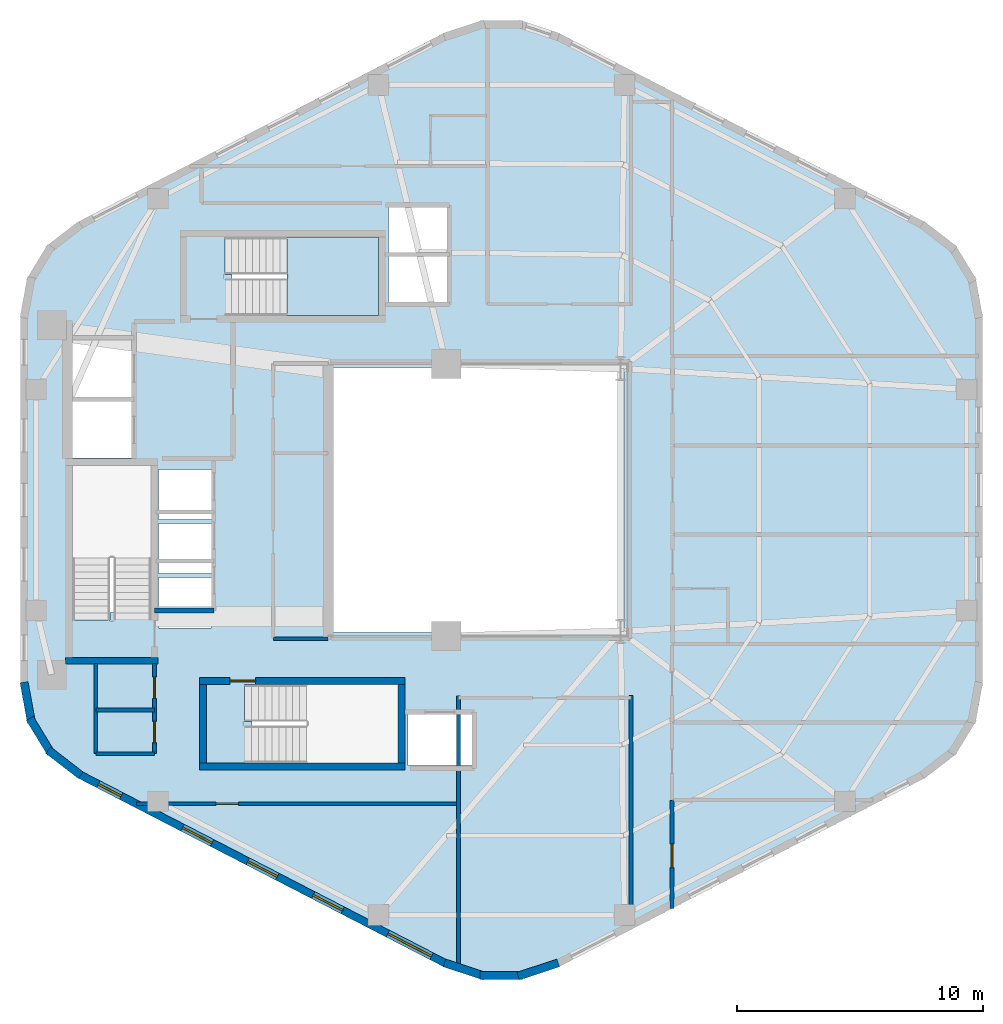
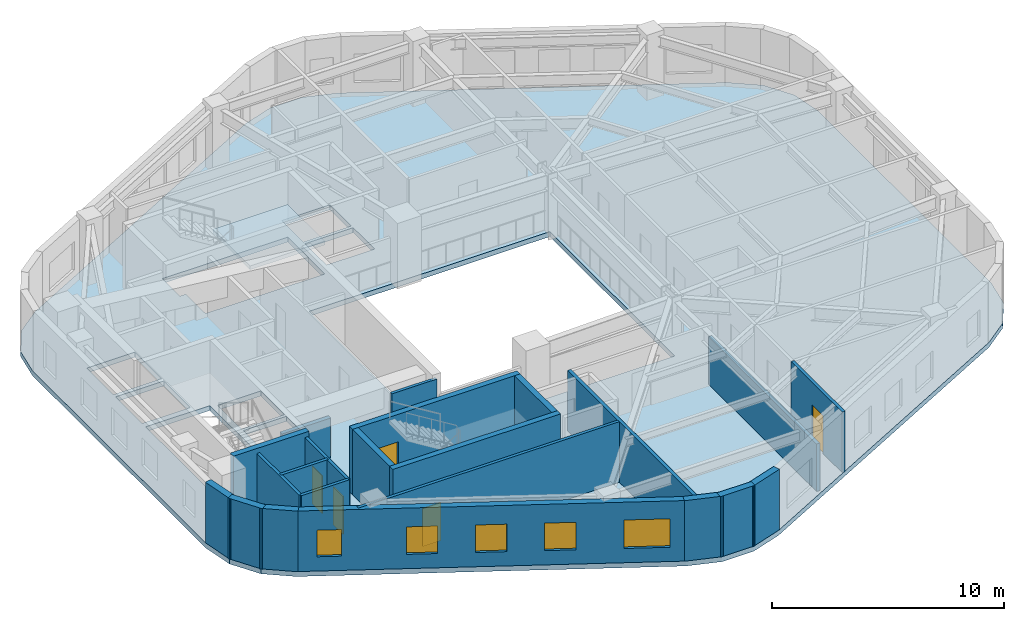
# One storey, part 2 of 7: 22 walls, 5 doors, 5 windows, 2 slabs, 10 openings, 1 element without a shape of its own.
"""IFC4 building model written with IfcOpenShell, lengths in metres."""

from ifc_helpers import new_model, si_unit, direction, frame, frame_2d, origin, place, context, subcontext, project, spatial, polyline, rectangle, outline, extrude, material, layer, layer_set, type_object, element, fill, aggregate, save


model = new_model("IFC4")

# Units and contexts
model_context = context("Model", 3, precision=1e-05, world=origin(), true_north=direction((0.0, 1.0)))
body_context = subcontext(model_context, "Body", "Model", "MODEL_VIEW")
ifc_project = project(units=[si_unit("LENGTHUNIT", "METRE"), si_unit("AREAUNIT", "SQUARE_METRE"), si_unit("VOLUMEUNIT", "CUBIC_METRE"), si_unit("PLANEANGLEUNIT", "RADIAN"), si_unit("MASSUNIT", "GRAM", prefix="KILO"), si_unit("THERMODYNAMICTEMPERATUREUNIT", "KELVIN"), si_unit("POWERUNIT", "WATT")], contexts=[model_context])

# Site, building, storey
site_placement = place(None, origin())
site = spatial("IfcSite", under=ifc_project, at=site_placement, CompositionType="ELEMENT")
building_placement = place(site_placement, origin())
building = spatial("IfcBuilding", under=site, at=building_placement, Name="Skarre Station Tower", CompositionType="ELEMENT")
storey_placement = place(building_placement, frame((0.0, 0.0, 196.449951171875)))
storey = spatial("IfcBuildingStorey", under=building, at=storey_placement, Name="L53", CompositionType="ELEMENT", Elevation=196.449951171875)

# Stair, slab
ifc_material_1 = material(Name="Concrete C40/50", Category="concrete")
stair_type = type_object("IfcStairType", Name="Reinforced Concrete Exit Stair ST-3", PredefinedType="HALF_TURN_STAIR", material=ifc_material_1)
stair_placement = place(storey_placement, origin())
stair = element("IfcStair", 1, at=stair_placement, inside=storey, type_object=stair_type, Name="L53 Core Exit Stair ST-3", PredefinedType="HALF_TURN_STAIR")
ifc_layer_1 = layer(ifc_material_1, 0.219970703125, Name="Concrete C40/50")
ifc_layer_set_1 = layer_set([ifc_layer_1], Name="Concrete C40/50")
slab_type_1 = type_object("IfcSlabType", Name="Reinforced Concrete Stair & Ramp Landing 220", PredefinedType="LANDING", material=ifc_layer_set_1)
slab_1_placement = place(storey_placement, frame((0.0, 0.0, 1.525146484375)))
slab_1 = element("IfcSlab", 2, at=slab_1_placement, type_object=slab_type_1, Name="ST-3 landing 1", PredefinedType="LANDING", context=body_context, shape_type="SweptSolid", body=[
    extrude(outline(polyline([(25.8701171875, 31.5), (29.60009765625, 31.5), (29.60009765625, 34.699951171875), (25.8701171875, 34.699951171875), (25.8701171875, 31.5)])), origin(), (0.0, 0.0, 1.0), 0.199951171875),
])
aggregate(stair, [slab_1])

# Slab
ifc_material_2 = material(Name="Concrete C50/60", Category="concrete")
ifc_layer_2 = layer(ifc_material_2, 0.260009765625, Name="Concrete C50/60")
ifc_layer_set_2 = layer_set([ifc_layer_2], Name="Concrete C50/60")
slab_type_2 = type_object("IfcSlabType", Name="Tower Typical Composite Floor Slab 260", PredefinedType="FLOOR", material=ifc_layer_set_2)
slab_2_placement = place(storey_placement, frame((0.0, 0.0, -0.260009765625)))
element("IfcSlab", 3, at=slab_2_placement, inside=storey, type_object=slab_type_2, Name="L53 Zone 3 Structural Floor Slab", PredefinedType="FLOOR", context=body_context, shape_type="SweptSolid", body=[
    extrude(outline(polyline([(54.172119140625, 31.501953125), (53.89208984375, 33.02294921875), (53.0869140625, 34.344970703125), (51.863037109375, 35.291015625), (36.908935546875, 43.009033203125), (35.39599609375, 43.506103515625), (33.803955078125, 43.506103515625), (32.291015625, 43.009033203125), (17.3369140625, 35.291015625), (16.113037109375, 34.344970703125), (15.30810546875, 33.02294921875), (15.028076171875, 31.501953125), (15.028076171875, 16.498046875), (15.30810546875, 14.97705078125), (16.113037109375, 13.655029296875), (17.3369140625, 12.708984375), (32.291015625, 4.990966796875), (33.803955078125, 4.493896484375), (35.39599609375, 4.493896484375), (36.908935546875, 4.990966796875), (51.863037109375, 12.708984375), (53.0869140625, 13.655029296875), (53.89208984375, 14.97705078125), (54.172119140625, 16.498046875), (54.172119140625, 31.501953125)]), holes=[polyline([(18.669921875, 19.419921875), (18.669921875, 19.123046875), (17.14990234375, 19.123046875), (17.14990234375, 25.39990234375), (20.35009765625, 25.39990234375), (20.35009765625, 19.419921875), (18.669921875, 19.419921875)]), polyline([(24.449951171875, 14.97998046875), (24.153076171875, 14.97998046875), (24.153076171875, 16.5), (30.39990234375, 16.5), (30.39990234375, 13.300048828125), (24.449951171875, 13.300048828125), (24.449951171875, 14.97998046875)]), polyline([(23.64990234375, 33.179931640625), (23.35302734375, 33.179931640625), (23.35302734375, 34.699951171875), (29.60009765625, 34.699951171875), (29.60009765625, 31.5), (23.64990234375, 31.5), (23.64990234375, 33.179931640625)]), polyline([(17.14990234375, 28.0), (19.550048828125, 28.0), (19.550048828125, 25.699951171875), (17.14990234375, 25.699951171875), (17.14990234375, 28.0)]), polyline([(17.14990234375, 30.5), (19.550048828125, 30.5), (19.550048828125, 28.199951171875), (17.14990234375, 28.199951171875), (17.14990234375, 30.5)]), polyline([(30.800048828125, 15.300048828125), (33.39990234375, 15.300048828125), (33.39990234375, 13.199951171875), (30.800048828125, 13.199951171875), (30.800048828125, 15.300048828125)]), polyline([(20.64990234375, 20.85009765625), (22.800048828125, 20.85009765625), (22.800048828125, 18.800048828125), (20.64990234375, 18.800048828125), (20.64990234375, 20.85009765625)]), polyline([(20.64990234375, 23.050048828125), (22.800048828125, 23.050048828125), (22.800048828125, 21.0), (20.64990234375, 21.0), (20.64990234375, 23.050048828125)]), polyline([(20.64990234375, 25.25), (22.800048828125, 25.25), (22.800048828125, 23.199951171875), (20.64990234375, 23.199951171875), (20.64990234375, 25.25)]), polyline([(30.0, 33.89990234375), (32.39990234375, 33.89990234375), (32.39990234375, 32.050048828125), (30.0, 32.050048828125), (30.0, 33.89990234375)]), polyline([(30.0, 35.89990234375), (32.39990234375, 35.89990234375), (32.39990234375, 34.050048828125), (30.0, 34.050048828125), (30.0, 35.89990234375)]), polyline([(27.60009765625, 29.39990234375), (39.60009765625, 29.39990234375), (39.60009765625, 18.60009765625), (27.60009765625, 18.60009765625), (27.60009765625, 29.39990234375)])]), origin(), (0.0, 0.0, 1.0), 0.260009765625),
])

# Walls
ifc_material_3 = material(Name="Acoustic Steel-Stud Gypsum Partition", Category="steel")
ifc_layer_3 = layer(ifc_material_3, 0.14990234375, Name="Acoustic Steel-Stud Gypsum Partition")
ifc_layer_set_3 = layer_set([ifc_layer_3], Name="Acoustic Steel-Stud Gypsum Partition")
wall_type_1 = type_object("IfcWallType", Name="Fire-Rated Corridor Acoustic Partition 150", PredefinedType="PARTITIONING", material=ifc_layer_set_3)
wall_1_placement = place(storey_placement, frame((25.320068359375, 18.360107421875, 0.0), z_axis=(0.0, 0.0, 1.0), x_axis=(1.0, 0.0, 0.0)))
element("IfcWall", 4, at=wall_1_placement, inside=storey, type_object=wall_type_1, Name="L53 Interior Partition WL-PT-L53-RC2-S", PredefinedType="PARTITIONING", context=body_context, shape_type="SweptSolid", body=[
    extrude(rectangle(XDim=2.22998046875, YDim=0.14990234375, at=frame_2d((1.114990234375, 0.0))), origin(), (0.0, 0.0, 1.0), 3.18994140625),
])
wall_2_placement = place(storey_placement, frame((18.10009765625, 17.340087890625, 0.0), z_axis=(0.0, 0.0, 1.0), x_axis=(0.0, -1.0, 0.0)))
element("IfcWall", 5, at=wall_2_placement, inside=storey, type_object=wall_type_1, Name="L53 Interior Partition WL-PT-L53-CSVC-W", PredefinedType="PARTITIONING", context=body_context, shape_type="SweptSolid", body=[
    extrude(rectangle(XDim=3.66015625, YDim=0.14990234375, at=frame_2d((1.830078125, 0.0))), origin(), (0.0, 0.0, 1.0), 3.18994140625),
])
for number, where, z_axis, x_axis, name in (
    (6, (18.10009765625, 13.679931640625, 0.0), (0.0, 0.0, 1.0), (1.0, 0.0, 0.0), "L53 Interior Partition WL-PT-L53-CSVC-S"),
    (7, (18.10009765625, 15.4599609375, 0.0), (0.0, 0.0, 1.0), (1.0, 0.0, 0.0), "L53 Interior Partition WL-PT-L53-CSVC-M"),
):
    element("IfcWall", number, at=place(storey_placement, frame(where, z_axis=z_axis, x_axis=x_axis)), inside=storey, type_object=wall_type_1, Name=name, PredefinedType="PARTITIONING", context=body_context, shape_type="SweptSolid", body=[
        extrude(rectangle(XDim=2.389892578125, YDim=0.14990234375, at=frame_2d((1.19482421875, 0.0))), origin(), (0.0, 0.0, 1.0), 3.18994140625),
    ])

# Wall, openings, doors
wall_3_placement = place(storey_placement, frame((20.489990234375, 13.679931640625, 0.0), z_axis=(0.0, 0.0, 1.0), x_axis=(0.0, 1.0, 0.0)))
wall_3 = element("IfcWall", 8, at=wall_3_placement, inside=storey, type_object=wall_type_1, Name="L53 Interior Partition WL-PT-L53-CSVC-E", PredefinedType="PARTITIONING", context=body_context, shape_type="SweptSolid", body=[
    extrude(rectangle(XDim=3.66015625, YDim=0.14990234375, at=frame_2d((1.830078125, 0.0))), origin(), (0.0, 0.0, 1.0), 3.18994140625),
])
opening_1_placement = place(wall_3_placement, frame((0.449951171875, 0.0, 0.0)))
opening_1 = element("IfcOpeningElement", 9, at=opening_1_placement, cuts=wall_3, Name="Opening DR-SVC86", PredefinedType="OPENING", context=body_context, shape_type="SweptSolid", body=[
    extrude(rectangle(XDim=0.860107421875, YDim=2.0, at=frame_2d((0.43017578125, 1.0))), frame((0.0, 0.0849609375, 0.0), z_axis=(0.0, -1.0, 0.0), x_axis=(1.0, 0.0, 0.0)), (0.0, 0.0, 1.0), 0.169921875),
])
opening_2_placement = place(wall_3_placement, frame((2.25, 0.0, 0.0)))
opening_2 = element("IfcOpeningElement", 10, at=opening_2_placement, cuts=wall_3, Name="Opening DR-SVC86", PredefinedType="OPENING", context=body_context, shape_type="SweptSolid", body=[
    extrude(rectangle(XDim=0.860107421875, YDim=2.0, at=frame_2d((0.43017578125, 1.0))), frame((0.0, 0.0849609375, 0.0), z_axis=(0.0, -1.0, 0.0), x_axis=(1.0, 0.0, 0.0)), (0.0, 0.0, 1.0), 0.169921875),
])
ifc_material_4 = material(Name="Powder-Coated Hollow-Metal Acoustic Fire Leaf", Category="steel")
door_type_1 = type_object("IfcDoorType", Name="Compact Riser Fire Door FD60 860x2100", OperationType="SINGLE_SWING_LEFT", PredefinedType="DOOR", material=ifc_material_4)
door_1_placement = place(opening_1_placement, origin())
door_1 = element("IfcDoor", 11, at=door_1_placement, inside=storey, type_object=door_type_1, Name="L53 Vending Room Door", OperationType="SINGLE_SWING_LEFT", OverallHeight=2.0, OverallWidth=0.860107421875, PredefinedType="DOOR", context=body_context, shape_type="SweptSolid", body=[
    extrude(rectangle(XDim=0.860107421875, YDim=2.0, at=frame_2d((0.43017578125, 1.0))), frame((0.0, 0.02490234375, 0.0), z_axis=(0.0, -1.0, 0.0), x_axis=(1.0, 0.0, 0.0)), (0.0, 0.0, 1.0), 0.050048828125),
])
fill(opening_1, door_1)
door_2_placement = place(opening_2_placement, origin())
door_2 = element("IfcDoor", 12, at=door_2_placement, inside=storey, type_object=door_type_1, Name="L53 Linen Storage Door", OperationType="SINGLE_SWING_LEFT", OverallHeight=2.0, OverallWidth=0.860107421875, PredefinedType="DOOR", context=body_context, shape_type="SweptSolid", body=[
    extrude(rectangle(XDim=0.860107421875, YDim=2.0, at=frame_2d((0.43017578125, 1.0))), frame((0.0, 0.02490234375, 0.0), z_axis=(0.0, -1.0, 0.0), x_axis=(1.0, 0.0, 0.0)), (0.0, 0.0, 1.0), 0.050048828125),
])
fill(opening_2, door_2)

# Wall, opening, door
wall_4_placement = place(storey_placement, frame((19.757080078125, 11.639892578125, 0.0), z_axis=(0.0, 0.0, 1.0), x_axis=(1.0, 0.0, 0.0)))
wall_4 = element("IfcWall", 13, at=wall_4_placement, inside=storey, type_object=wall_type_1, Name="L53 Interior Partition WL-PT-L53-SWP-N", PredefinedType="PARTITIONING", context=body_context, shape_type="SweptSolid", body=[
    extrude(rectangle(XDim=13.093017578125, YDim=0.14990234375, at=frame_2d((6.54638671875, 0.0))), origin(), (0.0, 0.0, 1.0), 3.18994140625),
])
opening_3_placement = place(wall_4_placement, frame((3.242919921875, 0.0, 0.0)))
opening_3 = element("IfcOpeningElement", 14, at=opening_3_placement, cuts=wall_4, Name="Opening DR-SVC90", PredefinedType="OPENING", context=body_context, shape_type="SweptSolid", body=[
    extrude(rectangle(XDim=0.89990234375, YDim=2.0, at=frame_2d((0.449951171875, 1.0))), frame((0.0, 0.0849609375, 0.0), z_axis=(0.0, -1.0, 0.0), x_axis=(1.0, 0.0, 0.0)), (0.0, 0.0, 1.0), 0.169921875),
])
door_type_2 = type_object("IfcDoorType", Name="Service & Riser Fire Door FD60 900x2100", OperationType="SINGLE_SWING_LEFT", PredefinedType="DOOR", material=ifc_material_4)
door_3_placement = place(opening_3_placement, origin())
door_3 = element("IfcDoor", 15, at=door_3_placement, inside=storey, type_object=door_type_2, Name="L53 Floor Public Toilets Door", OperationType="SINGLE_SWING_LEFT", OverallHeight=2.0, OverallWidth=0.89990234375, PredefinedType="DOOR", context=body_context, shape_type="SweptSolid", body=[
    extrude(rectangle(XDim=0.89990234375, YDim=2.0, at=frame_2d((0.449951171875, 1.0))), frame((0.0, 0.02490234375, 0.0), z_axis=(0.0, -1.0, 0.0), x_axis=(1.0, 0.0, 0.0)), (0.0, 0.0, 1.0), 0.050048828125),
])
fill(opening_3, door_3)

wall_5_placement = place(storey_placement, frame((41.5400390625, 7.39208984375, 0.0), z_axis=(0.0, 0.0, 1.0), x_axis=(0.0, 1.0, 0.0)))
wall_5 = element("IfcWall", 16, at=wall_5_placement, inside=storey, type_object=wall_type_1, Name="L53 Interior Partition WL-PT-L53-SW1-CW", PredefinedType="PARTITIONING", context=body_context, shape_type="SweptSolid", body=[
    extrude(rectangle(XDim=4.387939453125, YDim=0.14990234375, at=frame_2d((2.19384765625, 0.0))), origin(), (0.0, 0.0, 1.0), 3.18994140625),
])
opening_4_placement = place(wall_5_placement, frame((1.655029296875, 0.0, 0.0)))
opening_4 = element("IfcOpeningElement", 17, at=opening_4_placement, cuts=wall_5, Name="Opening DR-FD60", PredefinedType="OPENING", context=body_context, shape_type="SweptSolid", body=[
    extrude(rectangle(XDim=0.9599609375, YDim=2.0, at=frame_2d((0.47998046875, 1.0))), frame((0.0, 0.0849609375, 0.0), z_axis=(0.0, -1.0, 0.0), x_axis=(1.0, 0.0, 0.0)), (0.0, 0.0, 1.0), 0.169921875),
])
ifc_material_5 = material(Name="Nordic White-Oak Veneer Solid-Core Fire Leaf", Category="wood")
door_type_3 = type_object("IfcDoorType", Name="Corridor Suite Entry Fire Door FD60 960x2150", OperationType="SINGLE_SWING_LEFT", PredefinedType="DOOR", material=ifc_material_5)
door_4_placement = place(opening_4_placement, origin())
door_4 = element("IfcDoor", 18, at=door_4_placement, inside=storey, type_object=door_type_3, Name="L53 SW1 Entry Door", OperationType="SINGLE_SWING_LEFT", OverallHeight=2.0, OverallWidth=0.9599609375, PredefinedType="DOOR", context=body_context, shape_type="SweptSolid", body=[
    extrude(rectangle(XDim=0.9599609375, YDim=2.0, at=frame_2d((0.47998046875, 1.0))), frame((0.0, 0.02490234375, 0.0), z_axis=(0.0, -1.0, 0.0), x_axis=(1.0, 0.0, 0.0)), (0.0, 0.0, 1.0), 0.050048828125),
])
fill(opening_4, door_4)

# Walls
ifc_material_6 = material(Name="Precast concrete C45/55", Category="concrete")
ifc_layer_4 = layer(ifc_material_6, 0.330078125, Name="Precast concrete C45/55")
ifc_layer_set_4 = layer_set([ifc_layer_4], Name="Precast concrete C45/55")
wall_type_2 = type_object("IfcWallType", Name="Nordic Rounded Corner Precast Wall 330", PredefinedType="STANDARD", material=ifc_layer_set_4)
wall_6_placement = place(storey_placement, frame((17.489013671875, 12.800048828125, 0.0), z_axis=(0.0, 0.0, 1.0), x_axis=(-0.791409877269, 0.611285862884, 0.0)))
element("IfcWall", 19, at=wall_6_placement, inside=storey, type_object=wall_type_2, Name="L53 Rounded Corner Precast Wall F3-1", PredefinedType="STANDARD", context=body_context, shape_type="SweptSolid", body=[
    extrude(rectangle(XDim=1.676513671875, YDim=0.330078125, at=frame_2d((0.83837890625, 0.0))), origin(), (0.0, 0.0, 1.0), 3.18994140625),
])
wall_7_placement = place(storey_placement, frame((16.2880859375, 13.68505859375, 0.0), z_axis=(0.0, 0.0, 1.0), x_axis=(-0.520325409202, 0.853968072318, 0.0)))
element("IfcWall", 20, at=wall_7_placement, inside=storey, type_object=wall_type_2, Name="L53 Rounded Corner Precast Wall F3-2", PredefinedType="STANDARD", context=body_context, shape_type="SweptSolid", body=[
    extrude(rectangle(XDim=1.677978515625, YDim=0.330078125, at=frame_2d((0.8388671875, 0.0))), origin(), (0.0, 0.0, 1.0), 3.18994140625),
])
wall_8_placement = place(storey_placement, frame((15.48193359375, 14.943115234375, 0.0), z_axis=(0.0, 0.0, 1.0), x_axis=(-0.180717642671, 0.983535019014, 0.0)))
element("IfcWall", 21, at=wall_8_placement, inside=storey, type_object=wall_type_2, Name="L53 Rounded Corner Precast Wall F3-3", PredefinedType="STANDARD", context=body_context, shape_type="SweptSolid", body=[
    extrude(rectangle(XDim=1.676513671875, YDim=0.330078125, at=frame_2d((0.83837890625, 0.0))), origin(), (0.0, 0.0, 1.0), 3.18994140625),
])
wall_9_placement = place(storey_placement, frame((36.9189453125, 5.16796875, 0.0), z_axis=(0.0, 0.0, 1.0), x_axis=(-0.949937416267, -0.312440242569, 0.0)))
element("IfcWall", 22, at=wall_9_placement, inside=storey, type_object=wall_type_2, Name="L53 Rounded Corner Precast Wall F4-1", PredefinedType="STANDARD", context=body_context, shape_type="SweptSolid", body=[
    extrude(rectangle(XDim=1.72216796875, YDim=0.330078125, at=frame_2d((0.861083984375, 0.0))), origin(), (0.0, 0.0, 1.0), 3.18994140625),
])
wall_10_placement = place(storey_placement, frame((35.4609375, 4.658935546875, 0.0), z_axis=(0.0, 0.0, 1.0), x_axis=(-1.0, 0.0, 0.0)))
element("IfcWall", 23, at=wall_10_placement, inside=storey, type_object=wall_type_2, Name="L53 Rounded Corner Precast Wall F4-2", PredefinedType="STANDARD", context=body_context, shape_type="SweptSolid", body=[
    extrude(rectangle(XDim=1.721923828125, YDim=0.330078125, at=frame_2d((0.86083984375, 0.0))), origin(), (0.0, 0.0, 1.0), 3.18994140625),
])
wall_11_placement = place(storey_placement, frame((33.9169921875, 4.6298828125, 0.0), z_axis=(0.0, 0.0, 1.0), x_axis=(-0.949937416267, 0.312440242569, 0.0)))
element("IfcWall", 24, at=wall_11_placement, inside=storey, type_object=wall_type_2, Name="L53 Rounded Corner Precast Wall F4-3", PredefinedType="STANDARD", context=body_context, shape_type="SweptSolid", body=[
    extrude(rectangle(XDim=1.72216796875, YDim=0.330078125, at=frame_2d((0.861083984375, 0.0))), origin(), (0.0, 0.0, 1.0), 3.18994140625),
])

# Wall, openings, windows
ifc_layer_5 = layer(ifc_material_6, 0.31005859375, Name="Precast concrete C45/55")
ifc_layer_set_5 = layer_set([ifc_layer_5], Name="Precast concrete C45/55")
wall_type_3 = type_object("IfcWallType", Name="Nordic Upper-Zone Precast Facet Wall 310", PredefinedType="STANDARD", material=ifc_layer_set_5)
wall_12_placement = place(storey_placement, frame((32.362060546875, 5.12890625, 0.0), z_axis=(0.0, 0.0, 1.0), x_axis=(-0.888626188278, 0.458632202867, 0.0)))
wall_12 = element("IfcWall", 25, at=wall_12_placement, inside=storey, type_object=wall_type_3, Name="L53 Facet 3 Nordic Precast Masonry Wall", PredefinedType="STANDARD", context=body_context, shape_type="SweptSolid", body=[
    extrude(rectangle(XDim=16.828369140625, YDim=0.31005859375, at=frame_2d((8.4140625, 0.0))), origin(), (0.0, 0.0, 1.0), 3.18994140625),
])
opening_5_placement = place(wall_12_placement, frame((0.675048828125, 0.0, 0.75)))
opening_5 = element("IfcOpeningElement", 26, at=opening_5_placement, cuts=wall_12, Name="Opening WN-Z3A", PredefinedType="OPENING", context=body_context, shape_type="SweptSolid", body=[
    extrude(rectangle(XDim=2.0, YDim=1.5, at=frame_2d((1.0, 0.75))), frame((0.0, 0.1650390625, 0.0), z_axis=(0.0, -1.0, 0.0), x_axis=(1.0, 0.0, 0.0)), (0.0, 0.0, 1.0), 0.330078125),
])
opening_6_placement = place(wall_12_placement, frame((4.75, 0.0, 0.75)))
opening_6 = element("IfcOpeningElement", 27, at=opening_6_placement, cuts=wall_12, Name="Opening WN-Z3B", PredefinedType="OPENING", context=body_context, shape_type="SweptSolid", body=[
    extrude(rectangle(XDim=1.35009765625, YDim=1.449951171875, at=frame_2d((0.675048828125, 0.72509765625))), frame((0.0, 0.1650390625, 0.0), z_axis=(0.0, -1.0, 0.0), x_axis=(1.0, 0.0, 0.0)), (0.0, 0.0, 1.0), 0.330078125),
])
opening_7_placement = place(wall_12_placement, frame((7.739013671875, 0.0, 0.75)))
opening_7 = element("IfcOpeningElement", 28, at=opening_7_placement, cuts=wall_12, Name="Opening WN-Z3B", PredefinedType="OPENING", context=body_context, shape_type="SweptSolid", body=[
    extrude(rectangle(XDim=1.35009765625, YDim=1.449951171875, at=frame_2d((0.675048828125, 0.72509765625))), frame((0.0, 0.1650390625, 0.0), z_axis=(0.0, -1.0, 0.0), x_axis=(1.0, 0.0, 0.0)), (0.0, 0.0, 1.0), 0.330078125),
])
opening_8_placement = place(wall_12_placement, frame((10.72802734375, 0.0, 0.75)))
opening_8 = element("IfcOpeningElement", 29, at=opening_8_placement, cuts=wall_12, Name="Opening WN-Z3B", PredefinedType="OPENING", context=body_context, shape_type="SweptSolid", body=[
    extrude(rectangle(XDim=1.35009765625, YDim=1.449951171875, at=frame_2d((0.675048828125, 0.72509765625))), frame((0.0, 0.1650390625, 0.0), z_axis=(0.0, -1.0, 0.0), x_axis=(1.0, 0.0, 0.0)), (0.0, 0.0, 1.0), 0.330078125),
])
opening_9_placement = place(wall_12_placement, frame((14.885009765625, 0.0, 0.75)))
opening_9 = element("IfcOpeningElement", 30, at=opening_9_placement, cuts=wall_12, Name="Opening WN-SLT", PredefinedType="OPENING", context=body_context, shape_type="SweptSolid", body=[
    extrude(rectangle(XDim=1.050048828125, YDim=1.39990234375, at=frame_2d((0.52490234375, 0.699951171875))), frame((0.0, 0.1650390625, 0.0), z_axis=(0.0, -1.0, 0.0), x_axis=(1.0, 0.0, 0.0)), (0.0, 0.0, 1.0), 0.330078125),
])
ifc_material_7 = material(Name="Low-Iron Triple Glazing with Bronze Anodized Frame", Category="glass")
window_type_1 = type_object("IfcWindowType", Name="Nordic Corner Slot Window 1050x1400", PartitioningType="SINGLE_PANEL", PredefinedType="WINDOW", material=ifc_material_7)
window_1_placement = place(opening_9_placement, origin())
window_1 = element("IfcWindow", 31, at=window_1_placement, inside=storey, type_object=window_type_1, Name="L53 Facade Window WL-FAC-L53-F3-5", OverallHeight=1.39990234375, OverallWidth=1.050048828125, PartitioningType="SINGLE_PANEL", PredefinedType="WINDOW", context=body_context, shape_type="SweptSolid", body=[
    extrude(rectangle(XDim=1.050048828125, YDim=1.39990234375, at=frame_2d((0.52490234375, 0.699951171875))), frame((0.0, 0.030029296875, 0.0), z_axis=(0.0, -1.0, 0.0), x_axis=(1.0, 0.0, 0.0)), (0.0, 0.0, 1.0), 0.06005859375),
])
fill(opening_9, window_1)
window_type_2 = type_object("IfcWindowType", Name="Nordic Hospitality Narrow Window 1350x1450", PartitioningType="SINGLE_PANEL", PredefinedType="WINDOW", material=ifc_material_7)
window_2_placement = place(opening_6_placement, origin())
window_2 = element("IfcWindow", 32, at=window_2_placement, inside=storey, type_object=window_type_2, Name="L53 Facade Window WL-FAC-L53-F3-2", OverallHeight=1.449951171875, OverallWidth=1.35009765625, PartitioningType="SINGLE_PANEL", PredefinedType="WINDOW", context=body_context, shape_type="SweptSolid", body=[
    extrude(rectangle(XDim=1.35009765625, YDim=1.449951171875, at=frame_2d((0.675048828125, 0.72509765625))), frame((0.0, 0.030029296875, 0.0), z_axis=(0.0, -1.0, 0.0), x_axis=(1.0, 0.0, 0.0)), (0.0, 0.0, 1.0), 0.06005859375),
])
fill(opening_6, window_2)
window_3_placement = place(opening_7_placement, origin())
window_3 = element("IfcWindow", 33, at=window_3_placement, inside=storey, type_object=window_type_2, Name="L53 Facade Window WL-FAC-L53-F3-3", OverallHeight=1.449951171875, OverallWidth=1.35009765625, PartitioningType="SINGLE_PANEL", PredefinedType="WINDOW", context=body_context, shape_type="SweptSolid", body=[
    extrude(rectangle(XDim=1.35009765625, YDim=1.449951171875, at=frame_2d((0.675048828125, 0.72509765625))), frame((0.0, 0.030029296875, 0.0), z_axis=(0.0, -1.0, 0.0), x_axis=(1.0, 0.0, 0.0)), (0.0, 0.0, 1.0), 0.06005859375),
])
fill(opening_7, window_3)
window_4_placement = place(opening_8_placement, origin())
window_4 = element("IfcWindow", 34, at=window_4_placement, inside=storey, type_object=window_type_2, Name="L53 Facade Window WL-FAC-L53-F3-4", OverallHeight=1.449951171875, OverallWidth=1.35009765625, PartitioningType="SINGLE_PANEL", PredefinedType="WINDOW", context=body_context, shape_type="SweptSolid", body=[
    extrude(rectangle(XDim=1.35009765625, YDim=1.449951171875, at=frame_2d((0.675048828125, 0.72509765625))), frame((0.0, 0.030029296875, 0.0), z_axis=(0.0, -1.0, 0.0), x_axis=(1.0, 0.0, 0.0)), (0.0, 0.0, 1.0), 0.06005859375),
])
fill(opening_8, window_4)
window_type_3 = type_object("IfcWindowType", Name="Nordic Hospitality Window 2000x1500", PartitioningType="SINGLE_PANEL", PredefinedType="WINDOW", material=ifc_material_7)
window_5_placement = place(opening_5_placement, origin())
window_5 = element("IfcWindow", 35, at=window_5_placement, inside=storey, type_object=window_type_3, Name="L53 Facade Window WL-FAC-L53-F3-1", OverallHeight=1.5, OverallWidth=2.0, PartitioningType="SINGLE_PANEL", PredefinedType="WINDOW", context=body_context, shape_type="SweptSolid", body=[
    extrude(rectangle(XDim=2.0, YDim=1.5, at=frame_2d((1.0, 0.75))), frame((0.0, 0.030029296875, 0.0), z_axis=(0.0, -1.0, 0.0), x_axis=(1.0, 0.0, 0.0)), (0.0, 0.0, 1.0), 0.06005859375),
])
fill(opening_5, window_5)

# Walls
ifc_layer_6 = layer(ifc_material_2, 0.280029296875, Name="Concrete C50/60")
ifc_layer_set_6 = layer_set([ifc_layer_6], Name="Concrete C50/60")
wall_type_4 = type_object("IfcWallType", Name="RC Core Shear Wall 280", PredefinedType="SHEAR", material=ifc_layer_set_6)
wall_13_placement = place(storey_placement, frame((16.8701171875, 17.4599609375, 0.0), z_axis=(0.0, 0.0, 1.0), x_axis=(1.0, 0.0, 0.0)))
element("IfcWall", 36, at=wall_13_placement, inside=storey, type_object=wall_type_4, Name="L53 Stair ST-1 South Shear Wall", PredefinedType="SHEAR", context=body_context, shape_type="SweptSolid", body=[
    extrude(rectangle(XDim=3.759765625, YDim=0.280029296875, at=frame_2d((1.8798828125, 0.0))), origin(), (0.0, 0.0, 1.0), 3.449951171875),
])
wall_14_placement = place(storey_placement, frame((22.320068359375, 13.159912109375, 0.0), z_axis=(0.0, 0.0, 1.0), x_axis=(1.0, 0.0, 0.0)))
element("IfcWall", 37, at=wall_14_placement, inside=storey, type_object=wall_type_4, Name="L53 Stair ST-2 South Shear Wall", PredefinedType="SHEAR", context=body_context, shape_type="SweptSolid", body=[
    extrude(rectangle(XDim=8.35986328125, YDim=0.280029296875, at=frame_2d((4.179931640625, 0.0))), origin(), (0.0, 0.0, 1.0), 3.449951171875),
])

# Wall, opening, door
wall_15_placement = place(storey_placement, frame((30.679931640625, 16.639892578125, 0.0), z_axis=(0.0, 0.0, 1.0), x_axis=(-1.0, 0.0, 0.0)))
wall_15 = element("IfcWall", 38, at=wall_15_placement, inside=storey, type_object=wall_type_4, Name="L53 Stair ST-2 North Shear Wall", PredefinedType="SHEAR", context=body_context, shape_type="SweptSolid", body=[
    extrude(rectangle(XDim=8.35986328125, YDim=0.280029296875, at=frame_2d((4.179931640625, 0.0))), origin(), (0.0, 0.0, 1.0), 3.449951171875),
])
opening_10_placement = place(wall_15_placement, frame((6.080078125, 0.0, 0.0)))
opening_10 = element("IfcOpeningElement", 39, at=opening_10_placement, cuts=wall_15, Name="Opening DR-FD90", PredefinedType="OPENING", context=body_context, shape_type="SweptSolid", body=[
    extrude(rectangle(XDim=1.050048828125, YDim=2.0, at=frame_2d((0.52490234375, 1.0))), frame((0.0, 0.14990234375, 0.0), z_axis=(0.0, -1.0, 0.0), x_axis=(1.0, 0.0, 0.0)), (0.0, 0.0, 1.0), 0.300048828125),
])
ifc_material_8 = material(Name="Fire-Rated Insulated Steel Frame & Timber Core Leaf", Category="steel")
door_type_4 = type_object("IfcDoorType", Name="Stair & FSAE Lobby Fire Door FD90 1050x2150", OperationType="SINGLE_SWING_RIGHT", PredefinedType="DOOR", material=ifc_material_8)
door_5_placement = place(opening_10_placement, origin())
door_5 = element("IfcDoor", 40, at=door_5_placement, inside=storey, type_object=door_type_4, Name="L53 Stair ST-2 Exit Door", OperationType="SINGLE_SWING_RIGHT", OverallHeight=2.0, OverallWidth=1.050048828125, PredefinedType="DOOR", context=body_context, shape_type="SweptSolid", body=[
    extrude(rectangle(XDim=1.050048828125, YDim=2.0, at=frame_2d((0.52490234375, 1.0))), frame((0.0, 0.02490234375, 0.0), z_axis=(0.0, -1.0, 0.0), x_axis=(1.0, 0.0, 0.0)), (0.0, 0.0, 1.0), 0.050048828125),
])
fill(opening_10, door_5)

# Walls
for number, where, z_axis, x_axis, name in (
    (41, (22.4599609375, 16.5, 0.0), (0.0, 0.0, 1.0), (0.0, -1.0, 0.0), "L53 Stair ST-2 West Shear Wall"),
    (42, (30.5400390625, 13.300048828125, 0.0), (0.0, 0.0, 1.0), (0.0, 1.0, 0.0), "L53 Stair ST-2 East Shear Wall"),
):
    element("IfcWall", number, at=place(storey_placement, frame(where, z_axis=z_axis, x_axis=x_axis)), inside=storey, type_object=wall_type_4, Name=name, PredefinedType="SHEAR", context=body_context, shape_type="SweptSolid", body=[
        extrude(rectangle(XDim=3.199951171875, YDim=0.280029296875, at=frame_2d((1.60009765625, 0.0))), origin(), (0.0, 0.0, 1.0), 3.449951171875),
    ])
ifc_material_9 = material(Name="Gypsum Concrete Shaft Assembly C30/37", Category="concrete")
ifc_layer_7 = layer(ifc_material_9, 0.199951171875, Name="Gypsum Concrete Shaft Assembly C30/37")
ifc_layer_set_7 = layer_set([ifc_layer_7], Name="Gypsum Concrete Shaft Assembly C30/37")
wall_type_5 = type_object("IfcWallType", Name="Shaft & Core Fire Partition 200", PredefinedType="PARTITIONING", material=ifc_layer_set_7)
wall_16_placement = place(storey_placement, frame((20.489990234375, 19.5, 0.0), z_axis=(0.0, 0.0, 1.0), x_axis=(1.0, 0.0, 0.0)))
element("IfcWall", 43, at=wall_16_placement, inside=storey, type_object=wall_type_5, Name="L53 Interior Partition WL-PT-L53-B3-S", PredefinedType="PARTITIONING", context=body_context, shape_type="SweptSolid", body=[
    extrude(rectangle(XDim=2.409912109375, YDim=0.199951171875, at=frame_2d((1.205078125, 0.0))), origin(), (0.0, 0.0, 1.0), 2.090087890625),
])
ifc_layer_8 = layer(ifc_material_3, 0.1650390625, Name="Acoustic Steel-Stud Gypsum Partition")
ifc_layer_set_8 = layer_set([ifc_layer_8], Name="Acoustic Steel-Stud Gypsum Partition")
wall_type_6 = type_object("IfcWallType", Name="Suite Demising Acoustic Partition 165", PredefinedType="PARTITIONING", material=ifc_layer_set_8)
wall_17_placement = place(storey_placement, frame((32.85009765625, 4.97607421875, 0.0), z_axis=(0.0, 0.0, 1.0), x_axis=(0.0, 1.0, 0.0)))
element("IfcWall", 44, at=wall_17_placement, inside=storey, type_object=wall_type_6, Name="L53 Interior Partition WL-PT-L53-SWP-E", PredefinedType="PARTITIONING", context=body_context, shape_type="SweptSolid", body=[
    extrude(rectangle(XDim=11.053955078125, YDim=0.1650390625, at=frame_2d((5.52685546875, 0.0))), origin(), (0.0, 0.0, 1.0), 3.18994140625),
])
wall_18_placement = place(storey_placement, frame((39.8798828125, 6.7041015625, 0.0), z_axis=(0.0, 0.0, 1.0), x_axis=(0.0, 1.0, 0.0)))
element("IfcWall", 45, at=wall_18_placement, inside=storey, type_object=wall_type_6, Name="L53 Interior Partition WL-PT-L53-SWC-E", PredefinedType="PARTITIONING", context=body_context, shape_type="SweptSolid", body=[
    extrude(rectangle(XDim=9.345947265625, YDim=0.1650390625, at=frame_2d((4.6728515625, 0.0))), origin(), (0.0, 0.0, 1.0), 2.4970703125),
])

save(model, "model.ifc")
